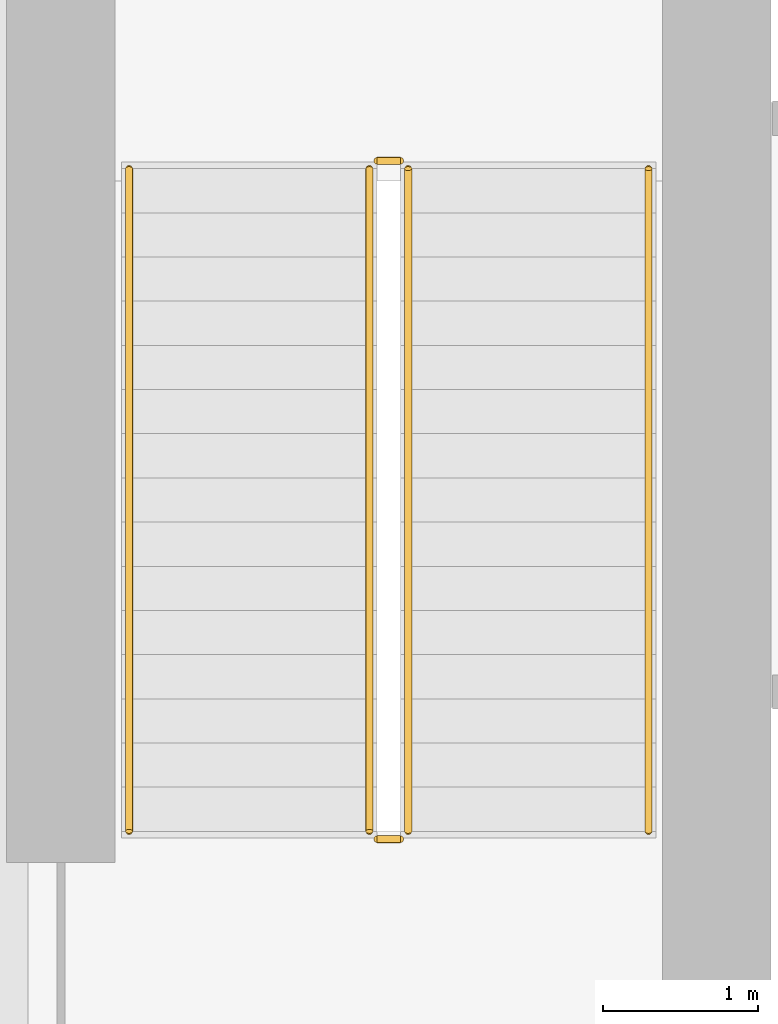
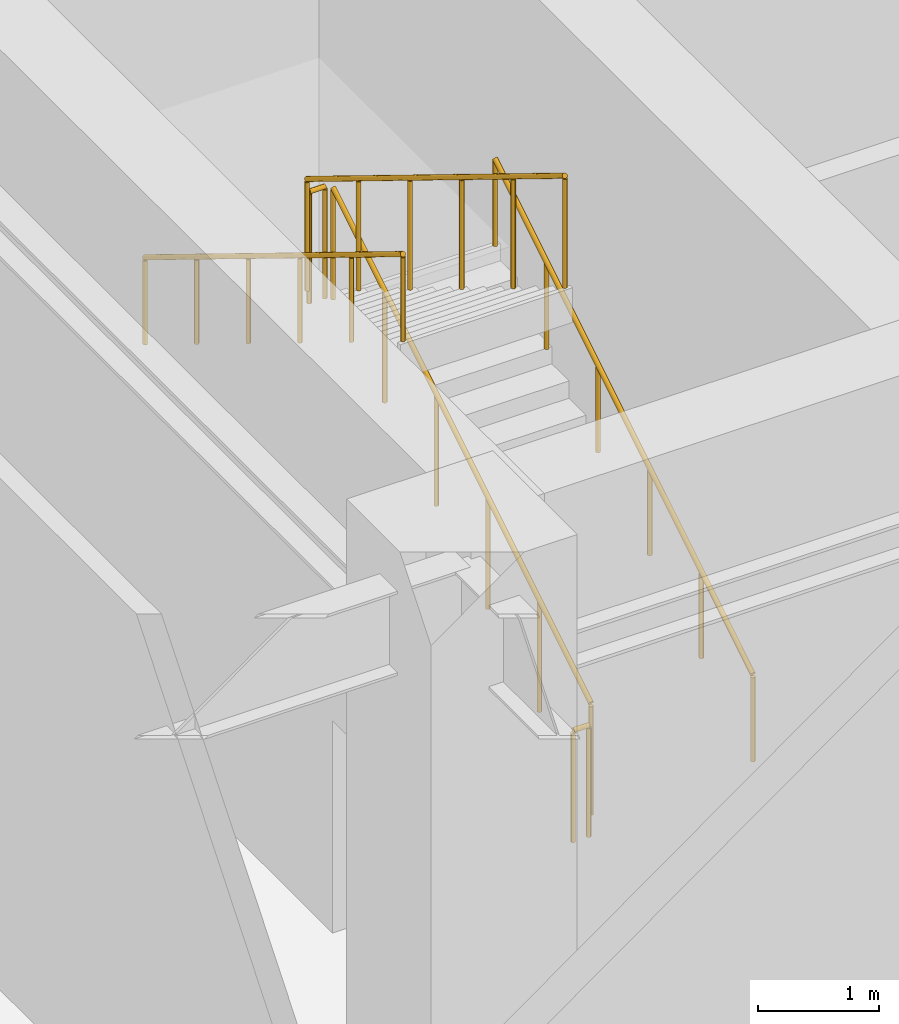
# One storey, part 11 of 14: 6 railings.
"""IFC4 building model written with IfcOpenShell, lengths in metres."""

import ifcopenshell
import ifcopenshell.guid

model = None  # the IFC model being written
_history = None  # IfcOwnerHistory: only IFC2X3 demands one
_inside = {}  # id of a spatial element -> (the spatial element, [elements in it])
_under = {}  # id of a project, library or spatial element -> (it, [spatial elements below it])
_declared = {}  # id of a project -> (the project, [libraries it declares])
_typed = {}  # id of a type object -> (the type object, [elements of that type])
_made_of = {}  # id of a material, layer set ... -> (it, [elements and type objects made of it])


def new_model(schema):
    """Start an empty IFC model of exactly this schema.

    Asked for "IFC4X3", IfcOpenShell would pick the latest addendum, in which some entities
    have other attributes; the version numbers below select the first issue.
    IFC2X3 requires an IfcOwnerHistory on every rooted entity: one is made here for all.
    """
    global model, _history
    if schema == "IFC4X3":
        model = ifcopenshell.file(schema_version=(4, 3, 0, 0))
    else:
        model = ifcopenshell.file(schema=schema)
    _inside.clear()
    _under.clear()
    _declared.clear()
    _typed.clear()
    _made_of.clear()
    _history = None
    if model.schema == "IFC2X3":
        org = make("IfcOrganization", Name="unknown")
        user = make(
            "IfcPersonAndOrganization",
            ThePerson=make("IfcPerson", FamilyName="unknown"),
            TheOrganization=org,
        )
        app = make(
            "IfcApplication",
            ApplicationDeveloper=org,
            Version="unknown",
            ApplicationFullName="unknown",
            ApplicationIdentifier="unknown",
        )
        _history = make(
            "IfcOwnerHistory",
            OwningUser=user,
            OwningApplication=app,
            ChangeAction="ADDED",
            CreationDate=0,
        )
    return model


def make(cls, **values):
    """One entity of the class cls with the attributes given. An attribute that is None is left unset."""
    return model.create_entity(
        cls, **{name: value for name, value in values.items() if value is not None}
    )


def rooted(cls, **values):
    """An entity with a GlobalId (a new one), such as an element, a storey or a relation."""
    return make(cls, GlobalId=ifcopenshell.guid.new(), OwnerHistory=_history, **values)


def si_unit(unit_type, name, prefix=None):
    """IfcSIUnit, for example si_unit("LENGTHUNIT", "METRE", prefix="MILLI")."""
    return make("IfcSIUnit", UnitType=unit_type, Prefix=prefix, Name=name)


def assignment(units):
    """IfcUnitAssignment: the units of a project."""
    return None if units is None else make("IfcUnitAssignment", Units=units)


def point(xyz):
    """IfcCartesianPoint."""
    return None if xyz is None else make("IfcCartesianPoint", Coordinates=xyz)


def direction(xyz):
    """IfcDirection."""
    return None if xyz is None else make("IfcDirection", DirectionRatios=xyz)


def frame(location, z_axis=None, x_axis=None):
    """IfcAxis2Placement3D, a coordinate frame: its origin and axes. An axis left out is left unset."""
    return make(
        "IfcAxis2Placement3D",
        Location=point(location),
        Axis=direction(z_axis),
        RefDirection=direction(x_axis),
    )


def frame_2d(location, x_axis=None):
    """IfcAxis2Placement2D, a coordinate frame in the plane: its origin and x axis."""
    return make(
        "IfcAxis2Placement2D", Location=point(location), RefDirection=direction(x_axis)
    )


def origin():
    """The frame at (0, 0, 0) with its axes left unset."""
    return frame((0.0, 0.0, 0.0))


def origin_2d():
    """The frame at (0, 0) in the plane with its x axis left unset."""
    return frame_2d((0.0, 0.0))


def place(relative_to, where):
    """IfcLocalPlacement: puts the frame where relative to a parent placement (None: the world)."""
    return make(
        "IfcLocalPlacement", PlacementRelTo=relative_to, RelativePlacement=where
    )


def context(
    kind, dimensions, precision=None, world=None, true_north=None, identifier=None
):
    """IfcGeometricRepresentationContext, for example the 3D "Model" context."""
    return make(
        "IfcGeometricRepresentationContext",
        ContextIdentifier=identifier,
        ContextType=kind,
        CoordinateSpaceDimension=dimensions,
        Precision=precision,
        WorldCoordinateSystem=world,
        TrueNorth=true_north,
    )


def subcontext(parent, identifier, kind, view, scale=None):
    """IfcGeometricRepresentationSubContext, for example "Body" below "Model"."""
    return make(
        "IfcGeometricRepresentationSubContext",
        ContextIdentifier=identifier,
        ContextType=kind,
        ParentContext=parent,
        TargetScale=scale,
        TargetView=view,
    )


def project(units=None, contexts=None):
    """IfcProject with its units and contexts."""
    return rooted(
        "IfcProject",
        Name="project",
        RepresentationContexts=contexts,
        UnitsInContext=assignment(units),
    )


def spatial(cls, under=None, at=None, **own):
    """A site, building, storey or space (cls), placed at a placement, below another one or the project."""
    s = rooted(cls, ObjectPlacement=at, **own)
    if under is not None:
        _under.setdefault(under.id(), (under, []))[1].append(s)
    return s


def profile(cls, at=None, kind="AREA", **sizes):
    """A parametric profile (cls). Its sizes go by their IFC names, for example OverallWidth=200.0."""
    return make(cls, ProfileType=kind, Position=at, **sizes)


def circle(**sizes):
    """IfcCircleProfileDef."""
    return profile("IfcCircleProfileDef", **sizes)


def extrude(swept, where, along, depth):
    """IfcExtrudedAreaSolid: the profile swept, set in the frame where, extruded along a direction by depth."""
    return make(
        "IfcExtrudedAreaSolid",
        SweptArea=swept,
        Position=where,
        ExtrudedDirection=direction(along),
        Depth=depth,
    )


def shape(context_of_items, identifier, shape_type, items):
    """IfcShapeRepresentation: the items that make up one representation, for example the "Body"."""
    return make(
        "IfcShapeRepresentation",
        ContextOfItems=context_of_items,
        RepresentationIdentifier=identifier,
        RepresentationType=shape_type,
        Items=items,
    )


def material(Name=None, Category=None):
    """IfcMaterial."""
    return make("IfcMaterial", Name=Name, Category=Category)


def made_of(thing, what):
    """Note that an element or type object is made of a material, layer set ...; save() writes the relation."""
    if what is not None:
        _made_of.setdefault(what.id(), (what, []))[1].append(thing)
    return thing


def type_object(cls, material=None, **own):
    """A type object (cls), such as IfcWallType, which elements share."""
    return made_of(rooted(cls, **own), material)


def element(
    cls,
    number,
    at=None,
    inside=None,
    cuts=None,
    type_object=None,
    material=None,
    context=None,
    identifier="Body",
    shape_type=None,
    held_by="IfcProductDefinitionShape",
    body=None,
    shapes=None,
    **own,
):
    """One element of the class cls, such as IfcWall. Its Tag is "e" and its number.

    at: its placement. inside: the storey or other place that contains it. cuts: it is an
    opening in that element (IfcRelVoidsElement). A single representation is given by context,
    identifier, shape_type and body (its items); several are given by shapes. held_by: the class
    of the entity that holds the representations. save() writes the other relations.
    """
    e = rooted(cls, Tag="e%d" % number, ObjectPlacement=at, **own)
    if body is not None:
        shapes = [shape(context, identifier, shape_type, body)]
    if shapes is not None:
        e.Representation = make(held_by, Representations=shapes)
    if inside is not None:
        _inside.setdefault(inside.id(), (inside, []))[1].append(e)
    if cuts is not None:
        rooted(
            "IfcRelVoidsElement", RelatingBuildingElement=cuts, RelatedOpeningElement=e
        )
    if type_object is not None:
        _typed.setdefault(type_object.id(), (type_object, []))[1].append(e)
    return made_of(e, material)


def aggregate(whole, parts):
    """IfcRelAggregates: a whole, such as a stair, and the parts it consists of."""
    return rooted("IfcRelAggregates", RelatingObject=whole, RelatedObjects=parts)


def save(model, path):
    """Write the relations noted so far, then the file.

    IfcRelAggregates (storeys below a building ...), IfcRelContainedInSpatialStructure (elements
    in a storey), IfcRelDefinesByType, IfcRelAssociatesMaterial and IfcRelDeclares: one each for
    every whole, place, type object, material and project.
    """
    for whole, parts in _under.values():
        aggregate(whole, parts)
    for where, things in _inside.values():
        rooted(
            "IfcRelContainedInSpatialStructure",
            RelatedElements=things,
            RelatingStructure=where,
        )
    for kind, things in _typed.values():
        rooted("IfcRelDefinesByType", RelatedObjects=things, RelatingType=kind)
    for what, things in _made_of.values():
        rooted("IfcRelAssociatesMaterial", RelatedObjects=things, RelatingMaterial=what)
    for by, libraries in _declared.values():
        rooted("IfcRelDeclares", RelatingContext=by, RelatedDefinitions=libraries)
    model.write(path)


model = new_model("IFC4")

# Units and contexts
model_context = context("Model", 3, precision=1e-05, world=origin(), true_north=direction((0.0, 1.0)))
body_context = subcontext(model_context, "Body", "Model", "MODEL_VIEW")
ifc_project = project(units=[si_unit("LENGTHUNIT", "METRE"), si_unit("AREAUNIT", "SQUARE_METRE"), si_unit("VOLUMEUNIT", "CUBIC_METRE"), si_unit("PLANEANGLEUNIT", "RADIAN"), si_unit("MASSUNIT", "GRAM", prefix="KILO")], contexts=[model_context])

# Site, building, storey
site_placement = place(None, origin())
site = spatial("IfcSite", under=ifc_project, at=site_placement, CompositionType="ELEMENT")
building_placement = place(site_placement, origin())
building = spatial("IfcBuilding", under=site, at=building_placement, Name="Nhamokura Convention Tower", CompositionType="ELEMENT")
storey_placement = place(building_placement, frame((0.0, 0.0, 23.800048828125)))
storey = spatial("IfcBuildingStorey", under=building, at=storey_placement, Name="L04", CompositionType="ELEMENT", Elevation=23.800048828125)

# Railings
ifc_material_1 = material(Name="Anodised bronze stainless steel", Category="steel")
railing_type_1 = type_object("IfcRailingType", Name="StairWallHandrail_900", PredefinedType="HANDRAIL", material=ifc_material_1)
railing_1_placement = place(storey_placement, frame((24.85009765625, 23.10009765625, 0.175048828125)))
element("IfcRailing", 1, at=railing_1_placement, inside=storey, type_object=railing_type_1, Name="L04 ST-01 stair handrail 1", PredefinedType="HANDRAIL", context=body_context, shape_type="SweptSolid", body=[
    extrude(circle(Radius=0.02392578125, at=origin_2d()), frame((0.0, 0.0, 0.8759765625), z_axis=(0.0, 0.852165895541, 0.523271713813), x_axis=(-1.0, 0.0, 0.0)), (0.0, 0.0, 1.0), 5.0166015625),
    extrude(circle(Radius=0.02099609375, at=origin_2d()), origin(), (0.0, 0.0, 1.0), 0.851806640625),
    extrude(circle(Radius=0.02099609375, at=origin_2d()), frame((0.0, 0.85498046875, 0.52490234375)), (0.0, 0.0, 1.0), 0.851806640625),
    extrude(circle(Radius=0.02099609375, at=origin_2d()), frame((0.0, 1.7099609375, 1.050048828125)), (0.0, 0.0, 1.0), 0.851806640625),
    extrude(circle(Radius=0.02099609375, at=origin_2d()), frame((0.0, 2.56494140625, 1.574951171875)), (0.0, 0.0, 1.0), 0.851806640625),
    extrude(circle(Radius=0.02099609375, at=origin_2d()), frame((0.0, 3.419921875, 2.10009765625)), (0.0, 0.0, 1.0), 0.851806640625),
    extrude(circle(Radius=0.02099609375, at=origin_2d()), frame((0.0, 4.27490234375, 2.625)), (0.0, 0.0, 1.0), 0.851806640625),
])
railing_2_placement = place(storey_placement, frame((21.5, 27.375, 2.974853515625)))
element("IfcRailing", 2, at=railing_2_placement, inside=storey, type_object=railing_type_1, Name="L04 ST-01 stair handrail 2", PredefinedType="HANDRAIL", context=body_context, shape_type="SweptSolid", body=[
    extrude(circle(Radius=0.02392578125, at=origin_2d()), frame((0.0, 0.0, 0.8759765625), z_axis=(0.0, -0.852165895541, 0.523271713813), x_axis=(1.0, 0.0, 0.0)), (0.0, 0.0, 1.0), 5.0166015625),
    extrude(circle(Radius=0.02099609375, at=origin_2d()), origin(), (0.0, 0.0, 1.0), 0.851806640625),
    extrude(circle(Radius=0.02099609375, at=origin_2d()), frame((0.0, -0.85498046875, 0.52490234375)), (0.0, 0.0, 1.0), 0.851806640625),
    extrude(circle(Radius=0.02099609375, at=origin_2d()), frame((0.0, -1.7099609375, 1.050048828125)), (0.0, 0.0, 1.0), 0.851806640625),
    extrude(circle(Radius=0.02099609375, at=origin_2d()), frame((0.0, -2.56494140625, 1.574951171875)), (0.0, 0.0, 1.0), 0.851806640625),
    extrude(circle(Radius=0.02099609375, at=origin_2d()), frame((0.0, -3.419921875, 2.10009765625)), (0.0, 0.0, 1.0), 0.851806640625),
    extrude(circle(Radius=0.02099609375, at=origin_2d()), frame((0.0, -4.27490234375, 2.625)), (0.0, 0.0, 1.0), 0.851806640625),
])
ifc_material_2 = material(Name="Painted tubular steel", Category="steel")
railing_type_2 = type_object("IfcRailingType", Name="StairWellGuardrail_1150", PredefinedType="GUARDRAIL", material=ifc_material_2)
railing_3_placement = place(storey_placement, frame((23.300048828125, 23.10009765625, 0.175048828125)))
element("IfcRailing", 3, at=railing_3_placement, inside=storey, type_object=railing_type_2, Name="L04 ST-01 stair guard 1", PredefinedType="GUARDRAIL", context=body_context, shape_type="SweptSolid", body=[
    extrude(circle(Radius=0.02392578125, at=origin_2d()), frame((0.0, 0.0, 1.1259765625), z_axis=(0.0, 0.852165895541, 0.523271713813), x_axis=(-1.0, 0.0, 0.0)), (0.0, 0.0, 1.0), 5.0166015625),
    extrude(circle(Radius=0.02099609375, at=origin_2d()), origin(), (0.0, 0.0, 1.0), 1.101806640625),
    extrude(circle(Radius=0.02099609375, at=origin_2d()), frame((0.0, 0.85498046875, 0.52490234375)), (0.0, 0.0, 1.0), 1.101806640625),
    extrude(circle(Radius=0.02099609375, at=origin_2d()), frame((0.0, 1.7099609375, 1.050048828125)), (0.0, 0.0, 1.0), 1.101806640625),
    extrude(circle(Radius=0.02099609375, at=origin_2d()), frame((0.0, 2.56494140625, 1.574951171875)), (0.0, 0.0, 1.0), 1.101806640625),
    extrude(circle(Radius=0.02099609375, at=origin_2d()), frame((0.0, 3.419921875, 2.10009765625)), (0.0, 0.0, 1.0), 1.101806640625),
    extrude(circle(Radius=0.02099609375, at=origin_2d()), frame((0.0, 4.27490234375, 2.625)), (0.0, 0.0, 1.0), 1.101806640625),
])
railing_4_placement = place(storey_placement, frame((23.25, 27.425048828125, 2.800048828125)))
element("IfcRailing", 4, at=railing_4_placement, inside=storey, type_object=railing_type_2, Name="L04 ST-01 stair guard 2", PredefinedType="GUARDRAIL", context=body_context, shape_type="SweptSolid", body=[
    extrude(circle(Radius=0.02392578125, at=origin_2d()), frame((0.0, 0.0, 1.1259765625), z_axis=(-1.0, 0.0, 0.0), x_axis=(0.0, -1.0, 0.0)), (0.0, 0.0, 1.0), 0.14990234375),
    extrude(circle(Radius=0.02099609375, at=origin_2d()), origin(), (0.0, 0.0, 1.0), 1.101806640625),
    extrude(circle(Radius=0.02099609375, at=origin_2d()), frame((-0.14990234375, 0.0, 0.0)), (0.0, 0.0, 1.0), 1.101806640625),
])
railing_5_placement = place(storey_placement, frame((23.050048828125, 27.375, 2.974853515625)))
element("IfcRailing", 5, at=railing_5_placement, inside=storey, type_object=railing_type_2, Name="L04 ST-01 stair guard 3", PredefinedType="GUARDRAIL", context=body_context, shape_type="SweptSolid", body=[
    extrude(circle(Radius=0.02392578125, at=origin_2d()), frame((0.0, 0.0, 1.1259765625), z_axis=(0.0, -0.852165895541, 0.523271713813), x_axis=(1.0, 0.0, 0.0)), (0.0, 0.0, 1.0), 5.0166015625),
    extrude(circle(Radius=0.02099609375, at=origin_2d()), origin(), (0.0, 0.0, 1.0), 1.101806640625),
    extrude(circle(Radius=0.02099609375, at=origin_2d()), frame((0.0, -0.85498046875, 0.52490234375)), (0.0, 0.0, 1.0), 1.101806640625),
    extrude(circle(Radius=0.02099609375, at=origin_2d()), frame((0.0, -1.7099609375, 1.050048828125)), (0.0, 0.0, 1.0), 1.101806640625),
    extrude(circle(Radius=0.02099609375, at=origin_2d()), frame((0.0, -2.56494140625, 1.574951171875)), (0.0, 0.0, 1.0), 1.101806640625),
    extrude(circle(Radius=0.02099609375, at=origin_2d()), frame((0.0, -3.419921875, 2.10009765625)), (0.0, 0.0, 1.0), 1.101806640625),
    extrude(circle(Radius=0.02099609375, at=origin_2d()), frame((0.0, -4.27490234375, 2.625)), (0.0, 0.0, 1.0), 1.101806640625),
])
railing_6_placement = place(storey_placement, frame((23.25, 23.050048828125, 0.0)))
element("IfcRailing", 6, at=railing_6_placement, inside=storey, type_object=railing_type_2, Name="L04 ST-01 stair guard 4", PredefinedType="GUARDRAIL", context=body_context, shape_type="SweptSolid", body=[
    extrude(circle(Radius=0.02392578125, at=origin_2d()), frame((0.0, 0.0, 1.1259765625), z_axis=(-1.0, 0.0, 0.0), x_axis=(0.0, -1.0, 0.0)), (0.0, 0.0, 1.0), 0.14990234375),
    extrude(circle(Radius=0.02099609375, at=origin_2d()), origin(), (0.0, 0.0, 1.0), 1.101806640625),
    extrude(circle(Radius=0.02099609375, at=origin_2d()), frame((-0.14990234375, 0.0, 0.0)), (0.0, 0.0, 1.0), 1.101806640625),
])

save(model, "model.ifc")
